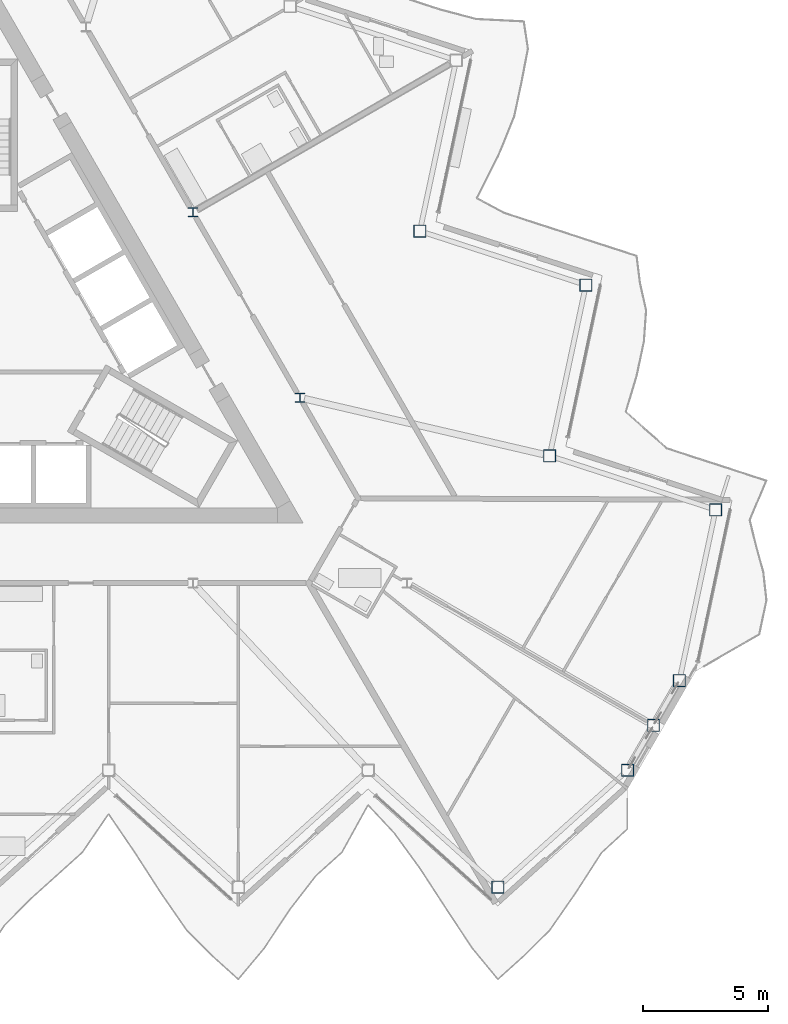
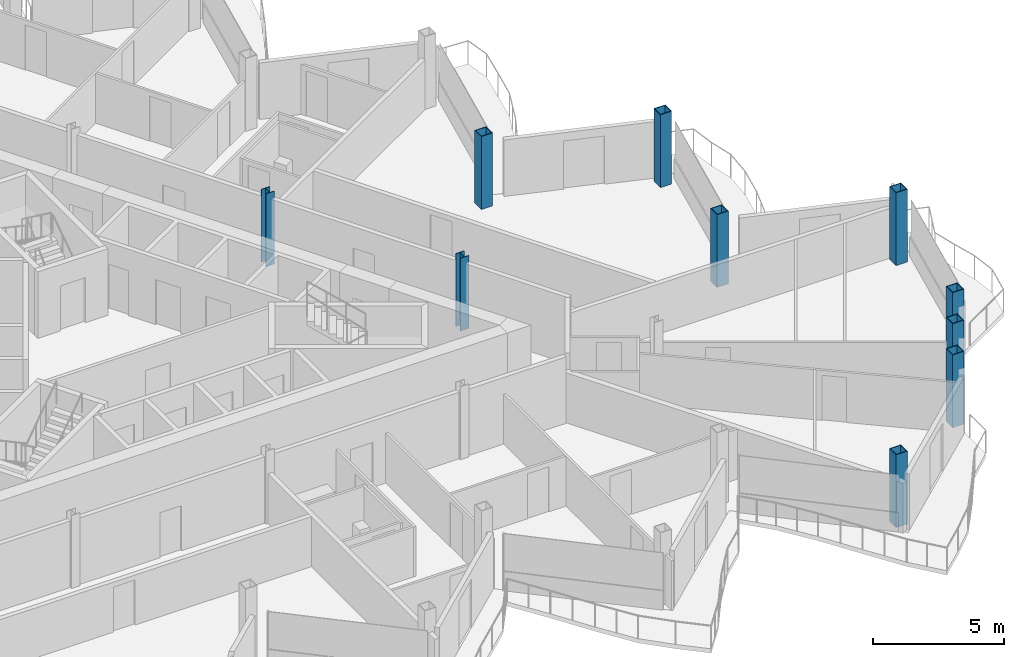
# One storey, part 2 of 26: 10 columns.
"""IFC4 building model written with IfcOpenShell, lengths in metres."""

import ifcopenshell
import ifcopenshell.guid

model = None  # the IFC model being written
_history = None  # IfcOwnerHistory: only IFC2X3 demands one
_inside = {}  # id of a spatial element -> (the spatial element, [elements in it])
_under = {}  # id of a project, library or spatial element -> (it, [spatial elements below it])
_declared = {}  # id of a project -> (the project, [libraries it declares])
_typed = {}  # id of a type object -> (the type object, [elements of that type])
_made_of = {}  # id of a material, layer set ... -> (it, [elements and type objects made of it])


def new_model(schema):
    """Start an empty IFC model of exactly this schema.

    Asked for "IFC4X3", IfcOpenShell would pick the latest addendum, in which some entities
    have other attributes; the version numbers below select the first issue.
    IFC2X3 requires an IfcOwnerHistory on every rooted entity: one is made here for all.
    """
    global model, _history
    if schema == "IFC4X3":
        model = ifcopenshell.file(schema_version=(4, 3, 0, 0))
    else:
        model = ifcopenshell.file(schema=schema)
    _inside.clear()
    _under.clear()
    _declared.clear()
    _typed.clear()
    _made_of.clear()
    _history = None
    if model.schema == "IFC2X3":
        org = make("IfcOrganization", Name="unknown")
        user = make(
            "IfcPersonAndOrganization",
            ThePerson=make("IfcPerson", FamilyName="unknown"),
            TheOrganization=org,
        )
        app = make(
            "IfcApplication",
            ApplicationDeveloper=org,
            Version="unknown",
            ApplicationFullName="unknown",
            ApplicationIdentifier="unknown",
        )
        _history = make(
            "IfcOwnerHistory",
            OwningUser=user,
            OwningApplication=app,
            ChangeAction="ADDED",
            CreationDate=0,
        )
    return model


def make(cls, **values):
    """One entity of the class cls with the attributes given. An attribute that is None is left unset."""
    return model.create_entity(
        cls, **{name: value for name, value in values.items() if value is not None}
    )


def rooted(cls, **values):
    """An entity with a GlobalId (a new one), such as an element, a storey or a relation."""
    return make(cls, GlobalId=ifcopenshell.guid.new(), OwnerHistory=_history, **values)


def si_unit(unit_type, name, prefix=None):
    """IfcSIUnit, for example si_unit("LENGTHUNIT", "METRE", prefix="MILLI")."""
    return make("IfcSIUnit", UnitType=unit_type, Prefix=prefix, Name=name)


def assignment(units):
    """IfcUnitAssignment: the units of a project."""
    return None if units is None else make("IfcUnitAssignment", Units=units)


def point(xyz):
    """IfcCartesianPoint."""
    return None if xyz is None else make("IfcCartesianPoint", Coordinates=xyz)


def direction(xyz):
    """IfcDirection."""
    return None if xyz is None else make("IfcDirection", DirectionRatios=xyz)


def frame(location, z_axis=None, x_axis=None):
    """IfcAxis2Placement3D, a coordinate frame: its origin and axes. An axis left out is left unset."""
    return make(
        "IfcAxis2Placement3D",
        Location=point(location),
        Axis=direction(z_axis),
        RefDirection=direction(x_axis),
    )


def frame_2d(location, x_axis=None):
    """IfcAxis2Placement2D, a coordinate frame in the plane: its origin and x axis."""
    return make(
        "IfcAxis2Placement2D", Location=point(location), RefDirection=direction(x_axis)
    )


def origin():
    """The frame at (0, 0, 0) with its axes left unset."""
    return frame((0.0, 0.0, 0.0))


def origin_2d():
    """The frame at (0, 0) in the plane with its x axis left unset."""
    return frame_2d((0.0, 0.0))


def place(relative_to, where):
    """IfcLocalPlacement: puts the frame where relative to a parent placement (None: the world)."""
    return make(
        "IfcLocalPlacement", PlacementRelTo=relative_to, RelativePlacement=where
    )


def context(
    kind, dimensions, precision=None, world=None, true_north=None, identifier=None
):
    """IfcGeometricRepresentationContext, for example the 3D "Model" context."""
    return make(
        "IfcGeometricRepresentationContext",
        ContextIdentifier=identifier,
        ContextType=kind,
        CoordinateSpaceDimension=dimensions,
        Precision=precision,
        WorldCoordinateSystem=world,
        TrueNorth=true_north,
    )


def subcontext(parent, identifier, kind, view, scale=None):
    """IfcGeometricRepresentationSubContext, for example "Body" below "Model"."""
    return make(
        "IfcGeometricRepresentationSubContext",
        ContextIdentifier=identifier,
        ContextType=kind,
        ParentContext=parent,
        TargetScale=scale,
        TargetView=view,
    )


def project(units=None, contexts=None):
    """IfcProject with its units and contexts."""
    return rooted(
        "IfcProject",
        Name="project",
        RepresentationContexts=contexts,
        UnitsInContext=assignment(units),
    )


def spatial(cls, under=None, at=None, **own):
    """A site, building, storey or space (cls), placed at a placement, below another one or the project."""
    s = rooted(cls, ObjectPlacement=at, **own)
    if under is not None:
        _under.setdefault(under.id(), (under, []))[1].append(s)
    return s


def profile(cls, at=None, kind="AREA", **sizes):
    """A parametric profile (cls). Its sizes go by their IFC names, for example OverallWidth=200.0."""
    return make(cls, ProfileType=kind, Position=at, **sizes)


def hollow_rectangle(**sizes):
    """IfcRectangleHollowProfileDef."""
    return profile("IfcRectangleHollowProfileDef", **sizes)


def i_section(**sizes):
    """IfcIShapeProfileDef."""
    return profile("IfcIShapeProfileDef", **sizes)


def extrude(swept, where, along, depth):
    """IfcExtrudedAreaSolid: the profile swept, set in the frame where, extruded along a direction by depth."""
    return make(
        "IfcExtrudedAreaSolid",
        SweptArea=swept,
        Position=where,
        ExtrudedDirection=direction(along),
        Depth=depth,
    )


def shape(context_of_items, identifier, shape_type, items):
    """IfcShapeRepresentation: the items that make up one representation, for example the "Body"."""
    return make(
        "IfcShapeRepresentation",
        ContextOfItems=context_of_items,
        RepresentationIdentifier=identifier,
        RepresentationType=shape_type,
        Items=items,
    )


def material(Name=None, Category=None):
    """IfcMaterial."""
    return make("IfcMaterial", Name=Name, Category=Category)


def material_profile(
    of_material, cross_section, Name=None, Category=None, Priority=None
):
    """IfcMaterialProfile: a cross section and its material."""
    return make(
        "IfcMaterialProfile",
        Name=Name,
        Material=of_material,
        Profile=cross_section,
        Priority=Priority,
        Category=Category,
    )


def profile_set(profiles, Name=None, composite=None):
    """IfcMaterialProfileSet."""
    return make(
        "IfcMaterialProfileSet",
        Name=Name,
        MaterialProfiles=profiles,
        CompositeProfile=composite,
    )


def made_of(thing, what):
    """Note that an element or type object is made of a material, layer set ...; save() writes the relation."""
    if what is not None:
        _made_of.setdefault(what.id(), (what, []))[1].append(thing)
    return thing


def type_object(cls, material=None, **own):
    """A type object (cls), such as IfcWallType, which elements share."""
    return made_of(rooted(cls, **own), material)


def element(
    cls,
    number,
    at=None,
    inside=None,
    cuts=None,
    type_object=None,
    material=None,
    context=None,
    identifier="Body",
    shape_type=None,
    held_by="IfcProductDefinitionShape",
    body=None,
    shapes=None,
    **own,
):
    """One element of the class cls, such as IfcWall. Its Tag is "e" and its number.

    at: its placement. inside: the storey or other place that contains it. cuts: it is an
    opening in that element (IfcRelVoidsElement). A single representation is given by context,
    identifier, shape_type and body (its items); several are given by shapes. held_by: the class
    of the entity that holds the representations. save() writes the other relations.
    """
    e = rooted(cls, Tag="e%d" % number, ObjectPlacement=at, **own)
    if body is not None:
        shapes = [shape(context, identifier, shape_type, body)]
    if shapes is not None:
        e.Representation = make(held_by, Representations=shapes)
    if inside is not None:
        _inside.setdefault(inside.id(), (inside, []))[1].append(e)
    if cuts is not None:
        rooted(
            "IfcRelVoidsElement", RelatingBuildingElement=cuts, RelatedOpeningElement=e
        )
    if type_object is not None:
        _typed.setdefault(type_object.id(), (type_object, []))[1].append(e)
    return made_of(e, material)


def aggregate(whole, parts):
    """IfcRelAggregates: a whole, such as a stair, and the parts it consists of."""
    return rooted("IfcRelAggregates", RelatingObject=whole, RelatedObjects=parts)


def save(model, path):
    """Write the relations noted so far, then the file.

    IfcRelAggregates (storeys below a building ...), IfcRelContainedInSpatialStructure (elements
    in a storey), IfcRelDefinesByType, IfcRelAssociatesMaterial and IfcRelDeclares: one each for
    every whole, place, type object, material and project.
    """
    for whole, parts in _under.values():
        aggregate(whole, parts)
    for where, things in _inside.values():
        rooted(
            "IfcRelContainedInSpatialStructure",
            RelatedElements=things,
            RelatingStructure=where,
        )
    for kind, things in _typed.values():
        rooted("IfcRelDefinesByType", RelatedObjects=things, RelatingType=kind)
    for what, things in _made_of.values():
        rooted("IfcRelAssociatesMaterial", RelatedObjects=things, RelatingMaterial=what)
    for by, libraries in _declared.values():
        rooted("IfcRelDeclares", RelatingContext=by, RelatedDefinitions=libraries)
    model.write(path)


model = new_model("IFC4")

# Units and contexts
model_context = context("Model", 3, precision=1e-05, world=origin(), true_north=direction((0.0, 1.0)))
body_context = subcontext(model_context, "Body", "Model", "MODEL_VIEW")
ifc_project = project(units=[si_unit("LENGTHUNIT", "METRE"), si_unit("AREAUNIT", "SQUARE_METRE"), si_unit("VOLUMEUNIT", "CUBIC_METRE"), si_unit("PLANEANGLEUNIT", "RADIAN"), si_unit("MASSUNIT", "GRAM", prefix="KILO")], contexts=[model_context])

# Site, building, storey
site_placement = place(None, origin())
site = spatial("IfcSite", under=ifc_project, at=site_placement, CompositionType="ELEMENT")
building_placement = place(site_placement, origin())
building = spatial("IfcBuilding", under=site, at=building_placement, Name="Cormorant Prow Tower", CompositionType="ELEMENT")
storey_placement = place(building_placement, frame((0.0, 0.0, 364.39990234375)))
storey = spatial("IfcBuildingStorey", under=building, at=storey_placement, Name="L81", CompositionType="ELEMENT", Elevation=364.39990234375)

# Columns
ifc_material_1 = material(Name="Structural steel ASTM A572 Gr 50", Category="steel")
ifc_material_profile_1 = material_profile(ifc_material_1, hollow_rectangle(XDim=0.5, YDim=0.5, WallThickness=0.030029296875, at=origin_2d()), Name="Box 500x500x30")
ifc_profile_set_1 = profile_set([ifc_material_profile_1], Name="Structural steel ASTM A572 Gr 50")
column_type_1 = type_object("IfcColumnType", Name="Perimeter box column 500x500x30", PredefinedType="COLUMN", material=ifc_profile_set_1)
for number, where, z_axis, x_axis, name in (
    (1, (20.800048828125, -22.087890625, 0.0), (0.0, 0.0, 1.0), (1.0, 0.0, 0.0), "Perimeter column C7 at S09 L81"),
    (2, (26.0, -17.40576171875, 0.0), (0.0, 0.0, 1.0), (1.0, 0.0, 0.0), "Perimeter column C7 at ESE00 L81"),
    (3, (27.036865234375, -15.60986328125, 0.0), (0.0, 0.0, 1.0), (1.0, 0.0, 0.0), "Perimeter column C7 at ESE01 L81"),
    (4, (28.07373046875, -13.813720703125, 0.0), (0.0, 0.0, 1.0), (1.0, 0.0, 0.0), "Perimeter column C7 at ENE00 L81"),
    (5, (29.528564453125, -6.969482421875, 0.0), (0.0, 0.0, 1.0), (1.0, 0.0, 0.0), "Perimeter column C7 at ENE01 L81"),
    (6, (22.873779296875, -4.80712890625, 0.0), (0.0, 0.0, 1.0), (1.0, 0.0, 0.0), "Perimeter column C7 at ENE02 L81"),
    (7, (24.32861328125, 2.037353515625, 0.0), (0.0, 0.0, 1.0), (1.0, 0.0, 0.0), "Perimeter column C7 at ENE03 L81"),
    (8, (17.673828125, 4.199462890625, 0.0), (0.0, 0.0, 1.0), (1.0, 0.0, 0.0), "Perimeter column C7 at ENE04 L81"),
):
    element("IfcColumn", number, at=place(storey_placement, frame(where, z_axis=z_axis, x_axis=x_axis)), inside=storey, type_object=column_type_1, Name=name, PredefinedType="COLUMN", context=body_context, shape_type="SweptSolid", body=[
        extrude(hollow_rectangle(XDim=0.5, YDim=0.5, WallThickness=0.030029296875, at=origin_2d()), origin(), (0.0, 0.0, 1.0), 3.400146484375),
    ])
ifc_material_2 = material(Name="Structural steel ASTM A992 Gr 50", Category="steel")
ifc_material_profile_2 = material_profile(ifc_material_2, i_section(OverallWidth=0.3740234375, OverallDepth=0.372314453125, WebThickness=0.016357421875, FlangeThickness=0.026123046875, at=origin_2d()), Name="W14x132")
ifc_profile_set_2 = profile_set([ifc_material_profile_2], Name="Structural steel ASTM A992 Gr 50")
column_type_2 = type_object("IfcColumnType", Name="Ring column W14x132", PredefinedType="COLUMN", material=ifc_profile_set_2)
for number, where, z_axis, x_axis, name in (
    (9, (12.86767578125, -2.476318359375, 0.0), (0.0, 0.0, 1.0), (1.0, 0.0, 0.0), "Ring column 10 L81"),
    (10, (8.578369140625, 4.952880859375, 0.0), (0.0, 0.0, 1.0), (1.0, 0.0, 0.0), "Ring column 11 L81"),
):
    element("IfcColumn", number, at=place(storey_placement, frame(where, z_axis=z_axis, x_axis=x_axis)), inside=storey, type_object=column_type_2, Name=name, PredefinedType="COLUMN", context=body_context, shape_type="SweptSolid", body=[
        extrude(i_section(OverallWidth=0.3740234375, OverallDepth=0.372314453125, WebThickness=0.016357421875, FlangeThickness=0.026123046875, at=origin_2d()), origin(), (0.0, 0.0, 1.0), 3.400146484375),
    ])

save(model, "model.ifc")
